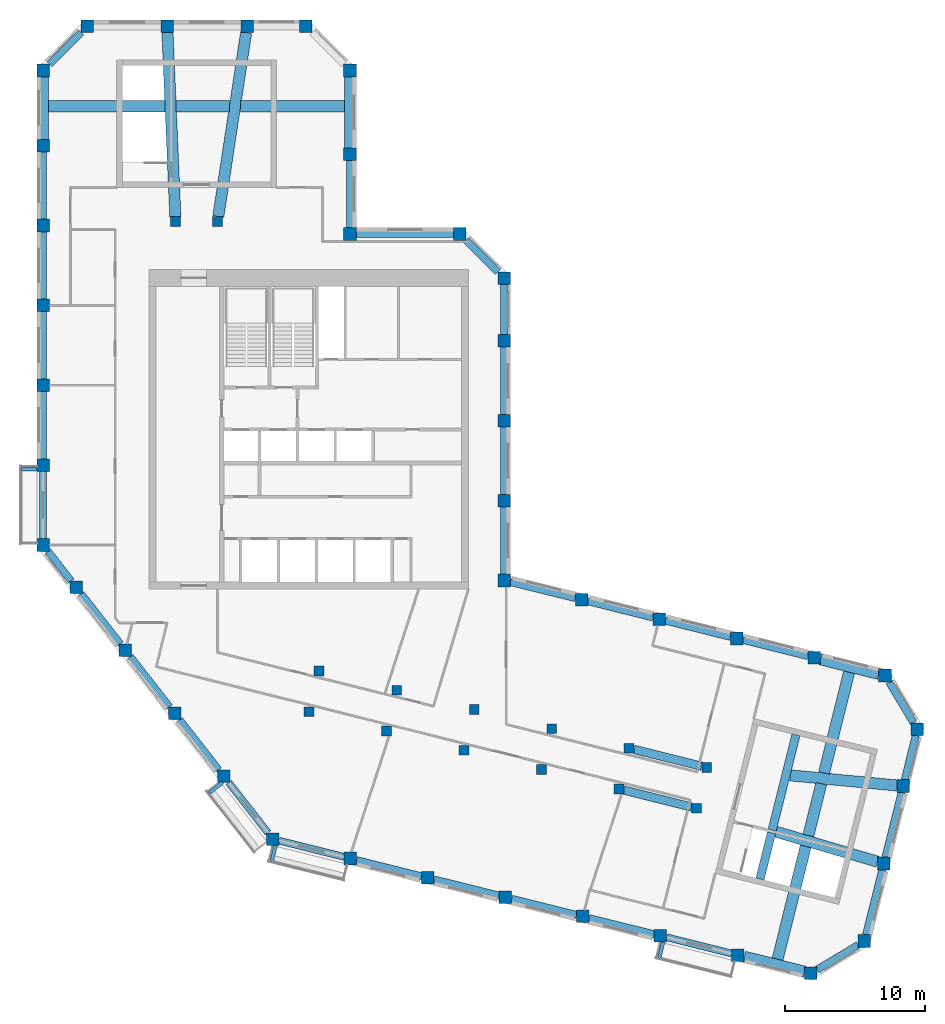
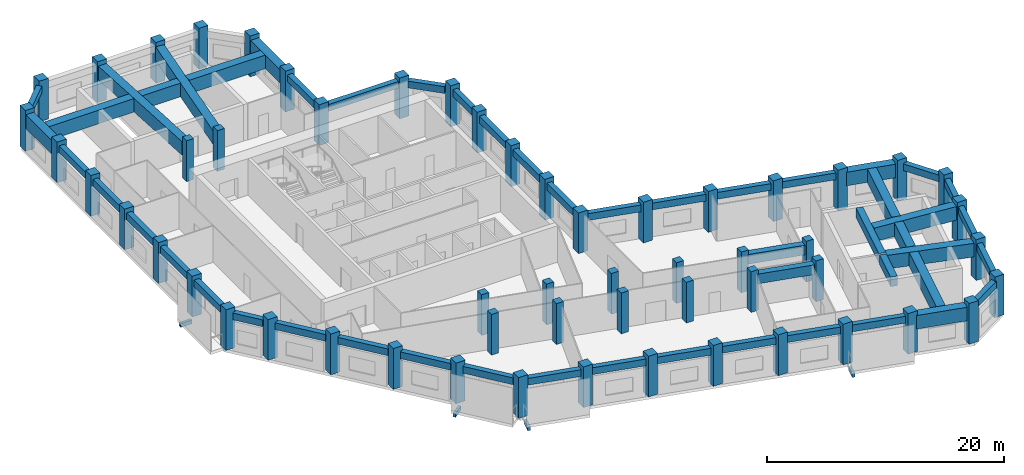
# One storey, part 1 of 8: 55 beams, 55 columns.
"""IFC4 building model written with IfcOpenShell, lengths in metres."""

import ifcopenshell
import ifcopenshell.guid

model = None  # the IFC model being written
_history = None  # IfcOwnerHistory: only IFC2X3 demands one
_inside = {}  # id of a spatial element -> (the spatial element, [elements in it])
_under = {}  # id of a project, library or spatial element -> (it, [spatial elements below it])
_declared = {}  # id of a project -> (the project, [libraries it declares])
_typed = {}  # id of a type object -> (the type object, [elements of that type])
_made_of = {}  # id of a material, layer set ... -> (it, [elements and type objects made of it])


def new_model(schema):
    """Start an empty IFC model of exactly this schema.

    Asked for "IFC4X3", IfcOpenShell would pick the latest addendum, in which some entities
    have other attributes; the version numbers below select the first issue.
    IFC2X3 requires an IfcOwnerHistory on every rooted entity: one is made here for all.
    """
    global model, _history
    if schema == "IFC4X3":
        model = ifcopenshell.file(schema_version=(4, 3, 0, 0))
    else:
        model = ifcopenshell.file(schema=schema)
    _inside.clear()
    _under.clear()
    _declared.clear()
    _typed.clear()
    _made_of.clear()
    _history = None
    if model.schema == "IFC2X3":
        org = make("IfcOrganization", Name="unknown")
        user = make(
            "IfcPersonAndOrganization",
            ThePerson=make("IfcPerson", FamilyName="unknown"),
            TheOrganization=org,
        )
        app = make(
            "IfcApplication",
            ApplicationDeveloper=org,
            Version="unknown",
            ApplicationFullName="unknown",
            ApplicationIdentifier="unknown",
        )
        _history = make(
            "IfcOwnerHistory",
            OwningUser=user,
            OwningApplication=app,
            ChangeAction="ADDED",
            CreationDate=0,
        )
    return model


def make(cls, **values):
    """One entity of the class cls with the attributes given. An attribute that is None is left unset."""
    return model.create_entity(
        cls, **{name: value for name, value in values.items() if value is not None}
    )


def rooted(cls, **values):
    """An entity with a GlobalId (a new one), such as an element, a storey or a relation."""
    return make(cls, GlobalId=ifcopenshell.guid.new(), OwnerHistory=_history, **values)


def si_unit(unit_type, name, prefix=None):
    """IfcSIUnit, for example si_unit("LENGTHUNIT", "METRE", prefix="MILLI")."""
    return make("IfcSIUnit", UnitType=unit_type, Prefix=prefix, Name=name)


def assignment(units):
    """IfcUnitAssignment: the units of a project."""
    return None if units is None else make("IfcUnitAssignment", Units=units)


def point(xyz):
    """IfcCartesianPoint."""
    return None if xyz is None else make("IfcCartesianPoint", Coordinates=xyz)


def direction(xyz):
    """IfcDirection."""
    return None if xyz is None else make("IfcDirection", DirectionRatios=xyz)


def frame(location, z_axis=None, x_axis=None):
    """IfcAxis2Placement3D, a coordinate frame: its origin and axes. An axis left out is left unset."""
    return make(
        "IfcAxis2Placement3D",
        Location=point(location),
        Axis=direction(z_axis),
        RefDirection=direction(x_axis),
    )


def frame_2d(location, x_axis=None):
    """IfcAxis2Placement2D, a coordinate frame in the plane: its origin and x axis."""
    return make(
        "IfcAxis2Placement2D", Location=point(location), RefDirection=direction(x_axis)
    )


def origin():
    """The frame at (0, 0, 0) with its axes left unset."""
    return frame((0.0, 0.0, 0.0))


def origin_2d():
    """The frame at (0, 0) in the plane with its x axis left unset."""
    return frame_2d((0.0, 0.0))


def place(relative_to, where):
    """IfcLocalPlacement: puts the frame where relative to a parent placement (None: the world)."""
    return make(
        "IfcLocalPlacement", PlacementRelTo=relative_to, RelativePlacement=where
    )


def context(
    kind, dimensions, precision=None, world=None, true_north=None, identifier=None
):
    """IfcGeometricRepresentationContext, for example the 3D "Model" context."""
    return make(
        "IfcGeometricRepresentationContext",
        ContextIdentifier=identifier,
        ContextType=kind,
        CoordinateSpaceDimension=dimensions,
        Precision=precision,
        WorldCoordinateSystem=world,
        TrueNorth=true_north,
    )


def subcontext(parent, identifier, kind, view, scale=None):
    """IfcGeometricRepresentationSubContext, for example "Body" below "Model"."""
    return make(
        "IfcGeometricRepresentationSubContext",
        ContextIdentifier=identifier,
        ContextType=kind,
        ParentContext=parent,
        TargetScale=scale,
        TargetView=view,
    )


def project(units=None, contexts=None):
    """IfcProject with its units and contexts."""
    return rooted(
        "IfcProject",
        Name="project",
        RepresentationContexts=contexts,
        UnitsInContext=assignment(units),
    )


def spatial(cls, under=None, at=None, **own):
    """A site, building, storey or space (cls), placed at a placement, below another one or the project."""
    s = rooted(cls, ObjectPlacement=at, **own)
    if under is not None:
        _under.setdefault(under.id(), (under, []))[1].append(s)
    return s


def profile(cls, at=None, kind="AREA", **sizes):
    """A parametric profile (cls). Its sizes go by their IFC names, for example OverallWidth=200.0."""
    return make(cls, ProfileType=kind, Position=at, **sizes)


def rectangle(**sizes):
    """IfcRectangleProfileDef."""
    return profile("IfcRectangleProfileDef", **sizes)


def extrude(swept, where, along, depth):
    """IfcExtrudedAreaSolid: the profile swept, set in the frame where, extruded along a direction by depth."""
    return make(
        "IfcExtrudedAreaSolid",
        SweptArea=swept,
        Position=where,
        ExtrudedDirection=direction(along),
        Depth=depth,
    )


def shape(context_of_items, identifier, shape_type, items):
    """IfcShapeRepresentation: the items that make up one representation, for example the "Body"."""
    return make(
        "IfcShapeRepresentation",
        ContextOfItems=context_of_items,
        RepresentationIdentifier=identifier,
        RepresentationType=shape_type,
        Items=items,
    )


def material(Name=None, Category=None):
    """IfcMaterial."""
    return make("IfcMaterial", Name=Name, Category=Category)


def material_profile(
    of_material, cross_section, Name=None, Category=None, Priority=None
):
    """IfcMaterialProfile: a cross section and its material."""
    return make(
        "IfcMaterialProfile",
        Name=Name,
        Material=of_material,
        Profile=cross_section,
        Priority=Priority,
        Category=Category,
    )


def profile_set(profiles, Name=None, composite=None):
    """IfcMaterialProfileSet."""
    return make(
        "IfcMaterialProfileSet",
        Name=Name,
        MaterialProfiles=profiles,
        CompositeProfile=composite,
    )


def made_of(thing, what):
    """Note that an element or type object is made of a material, layer set ...; save() writes the relation."""
    if what is not None:
        _made_of.setdefault(what.id(), (what, []))[1].append(thing)
    return thing


def type_object(cls, material=None, **own):
    """A type object (cls), such as IfcWallType, which elements share."""
    return made_of(rooted(cls, **own), material)


def element(
    cls,
    number,
    at=None,
    inside=None,
    cuts=None,
    type_object=None,
    material=None,
    context=None,
    identifier="Body",
    shape_type=None,
    held_by="IfcProductDefinitionShape",
    body=None,
    shapes=None,
    **own,
):
    """One element of the class cls, such as IfcWall. Its Tag is "e" and its number.

    at: its placement. inside: the storey or other place that contains it. cuts: it is an
    opening in that element (IfcRelVoidsElement). A single representation is given by context,
    identifier, shape_type and body (its items); several are given by shapes. held_by: the class
    of the entity that holds the representations. save() writes the other relations.
    """
    e = rooted(cls, Tag="e%d" % number, ObjectPlacement=at, **own)
    if body is not None:
        shapes = [shape(context, identifier, shape_type, body)]
    if shapes is not None:
        e.Representation = make(held_by, Representations=shapes)
    if inside is not None:
        _inside.setdefault(inside.id(), (inside, []))[1].append(e)
    if cuts is not None:
        rooted(
            "IfcRelVoidsElement", RelatingBuildingElement=cuts, RelatedOpeningElement=e
        )
    if type_object is not None:
        _typed.setdefault(type_object.id(), (type_object, []))[1].append(e)
    return made_of(e, material)


def aggregate(whole, parts):
    """IfcRelAggregates: a whole, such as a stair, and the parts it consists of."""
    return rooted("IfcRelAggregates", RelatingObject=whole, RelatedObjects=parts)


def save(model, path):
    """Write the relations noted so far, then the file.

    IfcRelAggregates (storeys below a building ...), IfcRelContainedInSpatialStructure (elements
    in a storey), IfcRelDefinesByType, IfcRelAssociatesMaterial and IfcRelDeclares: one each for
    every whole, place, type object, material and project.
    """
    for whole, parts in _under.values():
        aggregate(whole, parts)
    for where, things in _inside.values():
        rooted(
            "IfcRelContainedInSpatialStructure",
            RelatedElements=things,
            RelatingStructure=where,
        )
    for kind, things in _typed.values():
        rooted("IfcRelDefinesByType", RelatedObjects=things, RelatingType=kind)
    for what, things in _made_of.values():
        rooted("IfcRelAssociatesMaterial", RelatedObjects=things, RelatingMaterial=what)
    for by, libraries in _declared.values():
        rooted("IfcRelDeclares", RelatingContext=by, RelatedDefinitions=libraries)
    model.write(path)


model = new_model("IFC4")

# Units and contexts
model_context = context("Model", 3, precision=1e-05, world=origin(), true_north=direction((0.0, 1.0)))
body_context = subcontext(model_context, "Body", "Model", "MODEL_VIEW")
ifc_project = project(units=[si_unit("LENGTHUNIT", "METRE"), si_unit("AREAUNIT", "SQUARE_METRE"), si_unit("VOLUMEUNIT", "CUBIC_METRE"), si_unit("PLANEANGLEUNIT", "RADIAN"), si_unit("MASSUNIT", "GRAM", prefix="KILO")], contexts=[model_context])

# Site, building, storey
site_placement = place(None, origin())
site = spatial("IfcSite", under=ifc_project, at=site_placement, CompositionType="ELEMENT")
building_placement = place(site_placement, origin())
building = spatial("IfcBuilding", under=site, at=building_placement, Name="Meshkara Civic Tower", CompositionType="ELEMENT")
storey_placement = place(building_placement, frame((0.0, 0.0, 396.0)))
storey = spatial("IfcBuildingStorey", under=building, at=storey_placement, Name="L91", CompositionType="ELEMENT", Elevation=396.0)

# Columns
ifc_material_1 = material(Name="Concrete C50", Category="concrete")
ifc_material_profile_1 = material_profile(ifc_material_1, rectangle(XDim=0.699951171875, YDim=0.699951171875, at=origin_2d()))
ifc_profile_set_1 = profile_set([ifc_material_profile_1], Name="Concrete C50")
column_type_1 = type_object("IfcColumnType", Name="Interior column RC 700x700 C50", PredefinedType="COLUMN", material=ifc_profile_set_1)
for number, where, z_axis, x_axis, name in (
    (1, (9.89990234375, 40.35009765625, 0.0), (0.0, 0.0, 1.0), (1.0, 0.0, 0.0), "Column SA1-04 L91"),
    (2, (12.89990234375, 40.35009765625, 0.0), (0.0, 0.0, 1.0), (1.0, 0.0, 0.0), "Column SA2-04 L91"),
    (3, (19.424072265625, 5.360107421875, 0.0), (0.0, 0.0, 1.0), (1.0, 0.0, 0.0), "Column SB1-00 L91"),
    (4, (24.9541015625, 3.98095703125, 0.0), (0.0, 0.0, 1.0), (1.0, 0.0, 0.0), "Column SB1-01 L91"),
    (5, (30.485107421875, 2.60205078125, 0.0), (0.0, 0.0, 1.0), (1.0, 0.0, 0.0), "Column SB1-02 L91"),
    (6, (36.01611328125, 1.222900390625, 0.0), (0.0, 0.0, 1.0), (1.0, 0.0, 0.0), "Column SB1-03 L91"),
    (7, (41.5458984375, -0.156005859375, 0.0), (0.0, 0.0, 1.0), (1.0, 0.0, 0.0), "Column SB1-04 L91"),
    (8, (47.076904296875, -1.534912109375, 0.0), (0.0, 0.0, 1.0), (1.0, 0.0, 0.0), "Column SB1-05 L91"),
    (9, (20.14892578125, 8.27099609375, 0.0), (0.0, 0.0, 1.0), (1.0, 0.0, 0.0), "Column SB2-00 L91"),
    (10, (25.679931640625, 6.89208984375, 0.0), (0.0, 0.0, 1.0), (1.0, 0.0, 0.0), "Column SB2-01 L91"),
    (11, (31.2109375, 5.512939453125, 0.0), (0.0, 0.0, 1.0), (1.0, 0.0, 0.0), "Column SB2-02 L91"),
    (12, (36.741943359375, 4.134033203125, 0.0), (0.0, 0.0, 1.0), (1.0, 0.0, 0.0), "Column SB2-03 L91"),
    (13, (42.27197265625, 2.7548828125, 0.0), (0.0, 0.0, 1.0), (1.0, 0.0, 0.0), "Column SB2-04 L91"),
    (14, (47.802978515625, 1.3759765625, 0.0), (0.0, 0.0, 1.0), (1.0, 0.0, 0.0), "Column SB2-05 L91"),
):
    element("IfcColumn", number, at=place(storey_placement, frame(where, z_axis=z_axis, x_axis=x_axis)), inside=storey, type_object=column_type_1, Name=name, PredefinedType="COLUMN", context=body_context, shape_type="SweptSolid", body=[
        extrude(rectangle(XDim=0.699951171875, YDim=0.699951171875, at=origin_2d()), origin(), (0.0, 0.0, 1.0), 4.199951171875),
    ])
ifc_material_2 = material(Name="Concrete C50", Category="concrete")
ifc_material_profile_2 = material_profile(ifc_material_2, rectangle(XDim=0.89990234375, YDim=0.89990234375, at=origin_2d()))
ifc_profile_set_2 = profile_set([ifc_material_profile_2], Name="Concrete C50")
column_type_2 = type_object("IfcColumnType", Name="Perimeter column RC 900x900 C50", PredefinedType="COLUMN", material=ifc_profile_set_2)
for number, where, z_axis, x_axis, name in (
    (15, (33.35009765625, 14.718994140625, 0.0), (0.0, 0.0, 1.0), (1.0, 0.0, 0.0), "Column HE00 L91"),
    (16, (33.35009765625, 20.4189453125, 0.0), (0.0, 0.0, 1.0), (1.0, 0.0, 0.0), "Column HE01 L91"),
    (17, (33.35009765625, 26.118896484375, 0.0), (0.0, 0.0, 1.0), (1.0, 0.0, 0.0), "Column HE02 L91"),
    (18, (33.35009765625, 31.819091796875, 0.0), (0.0, 0.0, 1.0), (1.0, 0.0, 0.0), "Column HE03 L91"),
    (19, (33.35009765625, 36.2939453125, 0.0), (0.0, 0.0, 1.0), (1.0, 0.0, 0.0), "Column HEE L91"),
    (20, (30.194091796875, 39.449951171875, 0.0), (0.0, 0.0, 1.0), (1.0, 0.0, 0.0), "Column HCeE L91"),
    (21, (22.35009765625, 39.449951171875, 0.0), (0.0, 0.0, 1.0), (1.0, 0.0, 0.0), "Column HN00 L91"),
    (22, (22.35009765625, 45.14990234375, 0.0), (0.0, 0.0, 1.0), (1.0, 0.0, 0.0), "Column AE01 L91"),
    (23, (22.35009765625, 51.114013671875, 0.0), (0.0, 0.0, 1.0), (1.0, 0.0, 0.0), "Column AEEP5 L91"),
    (24, (19.194091796875, 54.27001953125, 0.0), (0.0, 0.0, 1.0), (1.0, 0.0, 0.0), "Column ATiEP5 L91"),
    (25, (3.60595703125, 54.27001953125, 0.0), (0.0, 0.0, 1.0), (1.0, 0.0, 0.0), "Column AT00-P5 L91"),
    (26, (9.305908203125, 54.27001953125, 0.0), (0.0, 0.0, 1.0), (1.0, 0.0, 0.0), "Column AT01-P5 L91"),
    (27, (15.006103515625, 54.27001953125, 0.0), (0.0, 0.0, 1.0), (1.0, 0.0, 0.0), "Column AT02-P5 L91"),
    (28, (0.449951171875, 51.114013671875, 0.0), (0.0, 0.0, 1.0), (1.0, 0.0, 0.0), "Column ATo00-P5 L91"),
    (29, (0.449951171875, 17.2548828125, 0.0), (0.0, 0.0, 1.0), (1.0, 0.0, 0.0), "Column AW00 L91"),
    (30, (0.449951171875, 22.955078125, 0.0), (0.0, 0.0, 1.0), (1.0, 0.0, 0.0), "Column AW01 L91"),
    (31, (0.449951171875, 28.655029296875, 0.0), (0.0, 0.0, 1.0), (1.0, 0.0, 0.0), "Column AW02 L91"),
    (32, (0.449951171875, 34.35498046875, 0.0), (0.0, 0.0, 1.0), (1.0, 0.0, 0.0), "Column AW03 L91"),
    (33, (0.449951171875, 40.054931640625, 0.0), (0.0, 0.0, 1.0), (1.0, 0.0, 0.0), "Column AW04 L91"),
    (34, (0.449951171875, 45.7548828125, 0.0), (0.0, 0.0, 1.0), (1.0, 0.0, 0.0), "Column AW05 L91"),
    (35, (16.85107421875, -3.738037109375, 0.0), (0.0, 0.0, 1.0), (1.0, 0.0, 0.0), "Column BOW00 L91"),
    (36, (13.342041015625, 0.75390625, 0.0), (0.0, 0.0, 1.0), (1.0, 0.0, 0.0), "Column BOW01 L91"),
    (37, (9.8330078125, 5.2451171875, 0.0), (0.0, 0.0, 1.0), (1.0, 0.0, 0.0), "Column BOW02 L91"),
    (38, (6.322998046875, 9.737060546875, 0.0), (0.0, 0.0, 1.0), (1.0, 0.0, 0.0), "Column BOW03 L91"),
    (39, (2.81396484375, 14.22900390625, 0.0), (0.0, 0.0, 1.0), (1.0, 0.0, 0.0), "Column BOW04 L91"),
    (40, (22.382080078125, -5.116943359375, 0.0), (0.0, 0.0, 1.0), (1.0, 0.0, 0.0), "Column BS01 L91"),
    (41, (27.912109375, -6.49609375, 0.0), (0.0, 0.0, 1.0), (1.0, 0.0, 0.0), "Column BS02 L91"),
    (42, (33.443115234375, -7.875, 0.0), (0.0, 0.0, 1.0), (1.0, 0.0, 0.0), "Column BS03 L91"),
    (43, (38.97412109375, -9.25390625, 0.0), (0.0, 0.0, 1.0), (1.0, 0.0, 0.0), "Column BS04 L91"),
    (44, (44.50390625, -10.633056640625, 0.0), (0.0, 0.0, 1.0), (1.0, 0.0, 0.0), "Column BS05-P4 L91"),
    (45, (50.034912109375, -12.011962890625, 0.0), (0.0, 0.0, 1.0), (1.0, 0.0, 0.0), "Column BS06-P4 L91"),
    (46, (55.235107421875, -13.30810546875, 0.0), (0.0, 0.0, 1.0), (1.0, 0.0, 0.0), "Column BSEP5 L91"),
    (47, (59.06103515625, -11.009033203125, 0.0), (0.0, 0.0, 1.0), (1.0, 0.0, 0.0), "Column BToEP5 L91"),
    (48, (60.43994140625, -5.47802734375, 0.0), (0.0, 0.0, 1.0), (1.0, 0.0, 0.0), "Column BT01-P5 L91"),
    (49, (61.819091796875, 0.052001953125, 0.0), (0.0, 0.0, 1.0), (1.0, 0.0, 0.0), "Column BT02-P5 L91"),
    (50, (62.83203125, 4.114990234375, 0.0), (0.0, 0.0, 1.0), (1.0, 0.0, 0.0), "Column BTEP5 L91"),
    (51, (60.532958984375, 7.94091796875, 0.0), (0.0, 0.0, 1.0), (1.0, 0.0, 0.0), "Column BTi00-P5 L91"),
    (52, (38.881103515625, 13.340087890625, 0.0), (0.0, 0.0, 1.0), (1.0, 0.0, 0.0), "Column BN01 L91"),
    (53, (44.410888671875, 11.9609375, 0.0), (0.0, 0.0, 1.0), (1.0, 0.0, 0.0), "Column BN02 L91"),
    (54, (49.94189453125, 10.58203125, 0.0), (0.0, 0.0, 1.0), (1.0, 0.0, 0.0), "Column BN03 L91"),
    (55, (55.472900390625, 9.202880859375, 0.0), (0.0, 0.0, 1.0), (1.0, 0.0, 0.0), "Column BN04 L91"),
):
    element("IfcColumn", number, at=place(storey_placement, frame(where, z_axis=z_axis, x_axis=x_axis)), inside=storey, type_object=column_type_2, Name=name, PredefinedType="COLUMN", context=body_context, shape_type="SweptSolid", body=[
        extrude(rectangle(XDim=0.89990234375, YDim=0.89990234375, at=origin_2d()), origin(), (0.0, 0.0, 1.0), 4.199951171875),
    ])

# Beams
ifc_material_3 = material(Name="Concrete C50", Category="concrete")
ifc_material_profile_3 = material_profile(ifc_material_3, rectangle(XDim=0.25, YDim=0.39990234375, at=origin_2d()))
ifc_profile_set_3 = profile_set([ifc_material_profile_3], Name="Concrete C50")
beam_type_1 = type_object("IfcBeamType", Name="Balcony bracket beam RC 250x400 C50", PredefinedType="BEAM", material=ifc_profile_set_3)
beam_1_placement = place(storey_placement, frame((0.0048828125, 22.655029296875, -0.5), z_axis=(-1.0, 0.0, 0.0), x_axis=(0.0, -1.0, 0.0)))
element("IfcBeam", 56, at=beam_1_placement, inside=storey, type_object=beam_type_1, Name="Balcony bracket beam", PredefinedType="BEAM", context=body_context, shape_type="SweptSolid", body=[
    extrude(rectangle(XDim=0.25, YDim=0.39990234375, at=origin_2d()), origin(), (0.0, 0.0, 1.0), 1.10498046875),
])
beam_2_placement = place(storey_placement, frame((13.257080078125, 0.306884765625, -0.5), z_axis=(-0.788012120422, -0.615659725878, 0.0), x_axis=(0.615659725878, -0.788012120422, 0.0)))
element("IfcBeam", 57, at=beam_2_placement, inside=storey, type_object=beam_type_1, Name="Balcony bracket beam", PredefinedType="BEAM", context=body_context, shape_type="SweptSolid", body=[
    extrude(rectangle(XDim=0.25, YDim=0.39990234375, at=origin_2d()), origin(), (0.0, 0.0, 1.0), 1.208251953125),
])
beam_3_placement = place(storey_placement, frame((17.049072265625, -4.18310546875, -0.5), z_axis=(-0.241944119929, -0.970290184858, 0.0), x_axis=(0.970290184858, -0.241944119929, 0.0)))
element("IfcBeam", 58, at=beam_3_placement, inside=storey, type_object=beam_type_1, Name="Balcony bracket beam", PredefinedType="BEAM", context=body_context, shape_type="SweptSolid", body=[
    extrude(rectangle(XDim=0.25, YDim=0.39990234375, at=origin_2d()), origin(), (0.0, 0.0, 1.0), 1.16552734375),
])
beam_4_placement = place(storey_placement, frame((44.701904296875, -11.077880859375, -0.5), z_axis=(-0.241894953997, -0.970302443175, 0.0), x_axis=(0.970302443175, -0.241894953997, 0.0)))
element("IfcBeam", 59, at=beam_4_placement, inside=storey, type_object=beam_type_1, Name="Balcony bracket beam", PredefinedType="BEAM", context=body_context, shape_type="SweptSolid", body=[
    extrude(rectangle(XDim=0.25, YDim=0.39990234375, at=origin_2d()), origin(), (0.0, 0.0, 1.0), 1.165771484375),
])
ifc_material_4 = material(Name="Concrete C50", Category="concrete")
ifc_material_profile_4 = material_profile(ifc_material_4, rectangle(XDim=0.60009765625, YDim=1.0, at=origin_2d()))
ifc_profile_set_4 = profile_set([ifc_material_profile_4], Name="Concrete C50")
beam_type_2 = type_object("IfcBeamType", Name="Core transfer beam RC 600x1000 C50", PredefinedType="BEAM", material=ifc_profile_set_4)
beam_5_placement = place(storey_placement, frame((41.885986328125, -0.240966796875, 3.25), z_axis=(0.97032033699, -0.241823166018, 0.0), x_axis=(0.241823166018, 0.97032033699, 0.0)))
element("IfcBeam", 60, at=beam_5_placement, inside=storey, type_object=beam_type_2, Name="Transfer beam B L92 Crown core-side wall", PredefinedType="BEAM", context=body_context, shape_type="SweptSolid", body=[
    extrude(rectangle(XDim=0.60009765625, YDim=1.0, at=origin_2d()), origin(), (0.0, 0.0, 1.0), 4.99951171875),
])
beam_6_placement = place(storey_placement, frame((42.612060546875, 2.669921875, 3.25), z_axis=(0.970317481084, -0.241834625111, 0.0), x_axis=(0.241834625111, 0.970317481084, 0.0)))
element("IfcBeam", 61, at=beam_6_placement, inside=storey, type_object=beam_type_2, Name="Transfer beam B L92 Crown core-side wall", PredefinedType="BEAM", context=body_context, shape_type="SweptSolid", body=[
    extrude(rectangle(XDim=0.60009765625, YDim=1.0, at=origin_2d()), origin(), (0.0, 0.0, 1.0), 4.999267578125),
])
beam_7_placement = place(storey_placement, frame((51.611083984375, -6.5810546875, 3.25), z_axis=(0.24177523778, 0.970332280405, 0.0), x_axis=(-0.970332280405, 0.24177523778, 0.0)))
element("IfcBeam", 62, at=beam_7_placement, inside=storey, type_object=beam_type_2, Name="Transfer beam B L92 Crown tip-side wall", PredefinedType="BEAM", context=body_context, shape_type="SweptSolid", body=[
    extrude(rectangle(XDim=0.60009765625, YDim=1.0, at=origin_2d()), origin(), (0.0, 0.0, 1.0), 3.39990234375),
])
beam_8_placement = place(storey_placement, frame((52.48193359375, -3.087890625, 3.25), z_axis=(0.241879042136, 0.970306409839, 0.0), x_axis=(-0.970306409839, 0.241879042136, 0.0)))
element("IfcBeam", 63, at=beam_8_placement, inside=storey, type_object=beam_type_2, Name="Transfer beam B L92 Crown tip-side wall", PredefinedType="BEAM", context=body_context, shape_type="SweptSolid", body=[
    extrude(rectangle(XDim=0.60009765625, YDim=1.0, at=origin_2d()), origin(), (0.0, 0.0, 1.0), 6.999755859375),
])
ifc_material_5 = material(Name="Concrete C50", Category="concrete")
ifc_material_profile_5 = material_profile(ifc_material_5, rectangle(XDim=0.5, YDim=0.699951171875, at=origin_2d()))
ifc_profile_set_5 = profile_set([ifc_material_profile_5], Name="Concrete C50")
beam_type_3 = type_object("IfcBeamType", Name="Spandrel beam RC 500x700 C50", PredefinedType="BEAM", material=ifc_profile_set_5)
for number, where, z_axis, x_axis, name in (
    (64, (55.02783203125, 9.31396484375, 3.39990234375), (-0.970298442389, 0.241911001604, 0.0), (-0.241911001604, -0.970298442389, 0.0), "Spandrel beam BN03-BN04"),
    (65, (49.496826171875, 10.693115234375, 3.39990234375), (-0.970298442389, 0.241911001604, 0.0), (-0.241911001604, -0.970298442389, 0.0), "Spandrel beam BN02-BN03"),
):
    element("IfcBeam", number, at=place(storey_placement, frame(where, z_axis=z_axis, x_axis=x_axis)), inside=storey, type_object=beam_type_3, Name=name, PredefinedType="BEAM", context=body_context, shape_type="SweptSolid", body=[
        extrude(rectangle(XDim=0.5, YDim=0.699951171875, at=origin_2d()), origin(), (0.0, 0.0, 1.0), 4.78271484375),
    ])
beam_9_placement = place(storey_placement, frame((43.9658203125, 12.072021484375, 3.39990234375), z_axis=(-0.970286489601, 0.241958938867, 0.0), x_axis=(-0.241958938867, -0.970286489601, 0.0)))
element("IfcBeam", 66, at=beam_9_placement, inside=storey, type_object=beam_type_3, Name="Spandrel beam BN01-BN02", PredefinedType="BEAM", context=body_context, shape_type="SweptSolid", body=[
    extrude(rectangle(XDim=0.5, YDim=0.699951171875, at=origin_2d()), origin(), (0.0, 0.0, 1.0), 4.78173828125),
])
beam_10_placement = place(storey_placement, frame((38.435791015625, 13.450927734375, 3.39990234375), z_axis=(-0.970298442389, 0.241911001604, 0.0), x_axis=(-0.241911001604, -0.970298442389, 0.0)))
element("IfcBeam", 67, at=beam_10_placement, inside=storey, type_object=beam_type_3, Name="Spandrel beam BN01-HE00", PredefinedType="BEAM", context=body_context, shape_type="SweptSolid", body=[
    extrude(rectangle(XDim=0.5, YDim=0.699951171875, at=origin_2d()), origin(), (0.0, 0.0, 1.0), 4.78271484375),
])
for number, where, z_axis, x_axis, name in (
    (68, (33.35009765625, 15.1640625, 3.39990234375), (0.0, 1.0, 0.0), (-1.0, 0.0, 0.0), "Spandrel beam HE00-HE01"),
    (69, (33.35009765625, 20.864013671875, 3.39990234375), (0.0, 1.0, 0.0), (-1.0, 0.0, 0.0), "Spandrel beam HE01-HE02"),
    (70, (33.35009765625, 26.56396484375, 3.39990234375), (0.0, 1.0, 0.0), (-1.0, 0.0, 0.0), "Spandrel beam HE02-HE03"),
):
    element("IfcBeam", number, at=place(storey_placement, frame(where, z_axis=z_axis, x_axis=x_axis)), inside=storey, type_object=beam_type_3, Name=name, PredefinedType="BEAM", context=body_context, shape_type="SweptSolid", body=[
        extrude(rectangle(XDim=0.5, YDim=0.699951171875, at=origin_2d()), origin(), (0.0, 0.0, 1.0), 4.81005859375),
    ])
beam_11_placement = place(storey_placement, frame((33.35009765625, 32.263916015625, 3.39990234375), z_axis=(0.0, 1.0, 0.0), x_axis=(-1.0, 0.0, 0.0)))
element("IfcBeam", 71, at=beam_11_placement, inside=storey, type_object=beam_type_3, Name="Spandrel beam HE03-HEE", PredefinedType="BEAM", context=body_context, shape_type="SweptSolid", body=[
    extrude(rectangle(XDim=0.5, YDim=0.699951171875, at=origin_2d()), origin(), (0.0, 0.0, 1.0), 3.585205078125),
])
beam_12_placement = place(storey_placement, frame((32.903564453125, 36.740478515625, 3.39990234375), z_axis=(-0.707144921739, 0.707068638576, 0.0), x_axis=(-0.707068638576, -0.707144921739, 0.0)))
element("IfcBeam", 72, at=beam_12_placement, inside=storey, type_object=beam_type_3, Name="Spandrel beam HCeE-HEE", PredefinedType="BEAM", context=body_context, shape_type="SweptSolid", body=[
    extrude(rectangle(XDim=0.5, YDim=0.699951171875, at=origin_2d()), origin(), (0.0, 0.0, 1.0), 3.200439453125),
])
beam_13_placement = place(storey_placement, frame((29.7490234375, 39.449951171875, 3.39990234375), z_axis=(-1.0, 0.0, 0.0), x_axis=(0.0, -1.0, 0.0)))
element("IfcBeam", 73, at=beam_13_placement, inside=storey, type_object=beam_type_3, Name="Spandrel beam HCeE-HN00", PredefinedType="BEAM", context=body_context, shape_type="SweptSolid", body=[
    extrude(rectangle(XDim=0.5, YDim=0.699951171875, at=origin_2d()), origin(), (0.0, 0.0, 1.0), 6.9541015625),
])
beam_14_placement = place(storey_placement, frame((22.35009765625, 39.89501953125, 3.39990234375), z_axis=(0.0, 1.0, 0.0), x_axis=(-1.0, 0.0, 0.0)))
element("IfcBeam", 74, at=beam_14_placement, inside=storey, type_object=beam_type_3, Name="Spandrel beam AE01-HN00", PredefinedType="BEAM", context=body_context, shape_type="SweptSolid", body=[
    extrude(rectangle(XDim=0.5, YDim=0.699951171875, at=origin_2d()), origin(), (0.0, 0.0, 1.0), 4.81005859375),
])
beam_15_placement = place(storey_placement, frame((3.159423828125, 53.823486328125, 3.39990234375), z_axis=(-0.707106781187, -0.707106781187, 0.0), x_axis=(0.707106781187, -0.707106781187, 0.0)))
element("IfcBeam", 75, at=beam_15_placement, inside=storey, type_object=beam_type_3, Name="Spandrel beam AT00-P5-ATo00-P5", PredefinedType="BEAM", context=body_context, shape_type="SweptSolid", body=[
    extrude(rectangle(XDim=0.5, YDim=0.699951171875, at=origin_2d()), origin(), (0.0, 0.0, 1.0), 3.2001953125),
])
for number, where, z_axis, x_axis, name in (
    (76, (0.449951171875, 45.31005859375, 3.39990234375), (0.0, -1.0, 0.0), (1.0, 0.0, 0.0), "Spandrel beam AW04-AW05"),
    (77, (0.449951171875, 39.610107421875, 3.39990234375), (0.0, -1.0, 0.0), (1.0, 0.0, 0.0), "Spandrel beam AW03-AW04"),
):
    element("IfcBeam", number, at=place(storey_placement, frame(where, z_axis=z_axis, x_axis=x_axis)), inside=storey, type_object=beam_type_3, Name=name, PredefinedType="BEAM", context=body_context, shape_type="SweptSolid", body=[
        extrude(rectangle(XDim=0.5, YDim=0.699951171875, at=origin_2d()), origin(), (0.0, 0.0, 1.0), 4.81005859375),
    ])
beam_16_placement = place(storey_placement, frame((0.449951171875, 33.909912109375, 3.39990234375), z_axis=(0.0, -1.0, 0.0), x_axis=(1.0, 0.0, 0.0)))
element("IfcBeam", 78, at=beam_16_placement, inside=storey, type_object=beam_type_3, Name="Spandrel beam AW02-AW03", PredefinedType="BEAM", context=body_context, shape_type="SweptSolid", body=[
    extrude(rectangle(XDim=0.5, YDim=0.699951171875, at=origin_2d()), origin(), (0.0, 0.0, 1.0), 4.809814453125),
])
for number, where, z_axis, x_axis, name in (
    (79, (0.449951171875, 28.2099609375, 3.39990234375), (0.0, -1.0, 0.0), (1.0, 0.0, 0.0), "Spandrel beam AW01-AW02"),
    (80, (0.449951171875, 22.510009765625, 3.39990234375), (0.0, -1.0, 0.0), (1.0, 0.0, 0.0), "Spandrel beam AW00-AW01"),
):
    element("IfcBeam", number, at=place(storey_placement, frame(where, z_axis=z_axis, x_axis=x_axis)), inside=storey, type_object=beam_type_3, Name=name, PredefinedType="BEAM", context=body_context, shape_type="SweptSolid", body=[
        extrude(rectangle(XDim=0.5, YDim=0.699951171875, at=origin_2d()), origin(), (0.0, 0.0, 1.0), 4.81005859375),
    ])
beam_17_placement = place(storey_placement, frame((0.798583984375, 16.808837890625, 3.39990234375), z_axis=(0.615637043197, -0.788029841468, 0.0), x_axis=(0.788029841468, 0.615637043197, 0.0)))
element("IfcBeam", 81, at=beam_17_placement, inside=storey, type_object=beam_type_3, Name="Spandrel beam AW00-BOW04", PredefinedType="BEAM", context=body_context, shape_type="SweptSolid", body=[
    extrude(rectangle(XDim=0.5, YDim=0.699951171875, at=origin_2d()), origin(), (0.0, 0.0, 1.0), 2.707763671875),
])
beam_18_placement = place(storey_placement, frame((3.162353515625, 13.782958984375, 3.39990234375), z_axis=(0.615626410665, -0.788038147865, 0.0), x_axis=(0.788038147865, 0.615626410665, 0.0)))
element("IfcBeam", 82, at=beam_18_placement, inside=storey, type_object=beam_type_3, Name="Spandrel beam BOW03-BOW04", PredefinedType="BEAM", context=body_context, shape_type="SweptSolid", body=[
    extrude(rectangle(XDim=0.5, YDim=0.699951171875, at=origin_2d()), origin(), (0.0, 0.0, 1.0), 4.568115234375),
])
beam_19_placement = place(storey_placement, frame((6.67138671875, 9.291015625, 3.39990234375), z_axis=(0.615759141311, -0.787934438829, 0.0), x_axis=(0.787934438829, 0.615759141311, 0.0)))
element("IfcBeam", 83, at=beam_19_placement, inside=storey, type_object=beam_type_3, Name="Spandrel beam BOW02-BOW03", PredefinedType="BEAM", context=body_context, shape_type="SweptSolid", body=[
    extrude(rectangle(XDim=0.5, YDim=0.699951171875, at=origin_2d()), origin(), (0.0, 0.0, 1.0), 4.568603515625),
])
beam_20_placement = place(storey_placement, frame((10.181396484375, 4.798828125, 3.39990234375), z_axis=(0.615722879711, -0.78796277539, 0.0), x_axis=(0.78796277539, 0.615722879711, 0.0)))
element("IfcBeam", 84, at=beam_20_placement, inside=storey, type_object=beam_type_3, Name="Spandrel beam BOW01-BOW02", PredefinedType="BEAM", context=body_context, shape_type="SweptSolid", body=[
    extrude(rectangle(XDim=0.5, YDim=0.699951171875, at=origin_2d()), origin(), (0.0, 0.0, 1.0), 4.56689453125),
])
beam_21_placement = place(storey_placement, frame((13.6904296875, 0.307861328125, 3.39990234375), z_axis=(0.615626410665, -0.788038147865, 0.0), x_axis=(0.788038147865, 0.615626410665, 0.0)))
element("IfcBeam", 85, at=beam_21_placement, inside=storey, type_object=beam_type_3, Name="Spandrel beam BOW00-BOW01", PredefinedType="BEAM", context=body_context, shape_type="SweptSolid", body=[
    extrude(rectangle(XDim=0.5, YDim=0.699951171875, at=origin_2d()), origin(), (0.0, 0.0, 1.0), 4.568115234375),
])
beam_22_placement = place(storey_placement, frame((17.296142578125, -3.84912109375, 3.39990234375), z_axis=(0.970301429476, -0.241899020164, 0.0), x_axis=(0.241899020164, 0.970301429476, 0.0)))
element("IfcBeam", 86, at=beam_22_placement, inside=storey, type_object=beam_type_3, Name="Spandrel beam BOW00-BS01", PredefinedType="BEAM", context=body_context, shape_type="SweptSolid", body=[
    extrude(rectangle(XDim=0.5, YDim=0.699951171875, at=origin_2d()), origin(), (0.0, 0.0, 1.0), 4.782958984375),
])
beam_23_placement = place(storey_placement, frame((22.8271484375, -5.22802734375, 3.39990234375), z_axis=(0.970286489601, -0.241958938867, 0.0), x_axis=(0.241958938867, 0.970286489601, 0.0)))
element("IfcBeam", 87, at=beam_23_placement, inside=storey, type_object=beam_type_3, Name="Spandrel beam BS01-BS02", PredefinedType="BEAM", context=body_context, shape_type="SweptSolid", body=[
    extrude(rectangle(XDim=0.5, YDim=0.699951171875, at=origin_2d()), origin(), (0.0, 0.0, 1.0), 4.78173828125),
])
for number, where, z_axis, x_axis, name in (
    (88, (28.357177734375, -6.60693359375, 3.39990234375), (0.970298442389, -0.241911001604, 0.0), (0.241911001604, 0.970298442389, 0.0), "Spandrel beam BS02-BS03"),
    (89, (33.88818359375, -7.986083984375, 3.39990234375), (0.970298442389, -0.241911001604, 0.0), (0.241911001604, 0.970298442389, 0.0), "Spandrel beam BS03-BS04"),
):
    element("IfcBeam", number, at=place(storey_placement, frame(where, z_axis=z_axis, x_axis=x_axis)), inside=storey, type_object=beam_type_3, Name=name, PredefinedType="BEAM", context=body_context, shape_type="SweptSolid", body=[
        extrude(rectangle(XDim=0.5, YDim=0.699951171875, at=origin_2d()), origin(), (0.0, 0.0, 1.0), 4.78271484375),
    ])
beam_24_placement = place(storey_placement, frame((39.419189453125, -9.364990234375, 3.39990234375), z_axis=(0.970286489601, -0.241958938867, 0.0), x_axis=(0.241958938867, 0.970286489601, 0.0)))
element("IfcBeam", 90, at=beam_24_placement, inside=storey, type_object=beam_type_3, Name="Spandrel beam BS04-BS05-P4", PredefinedType="BEAM", context=body_context, shape_type="SweptSolid", body=[
    extrude(rectangle(XDim=0.5, YDim=0.699951171875, at=origin_2d()), origin(), (0.0, 0.0, 1.0), 4.78173828125),
])
beam_25_placement = place(storey_placement, frame((44.94921875, -10.743896484375, 3.39990234375), z_axis=(0.970298442389, -0.241911001604, 0.0), x_axis=(0.241911001604, 0.970298442389, 0.0)))
element("IfcBeam", 91, at=beam_25_placement, inside=storey, type_object=beam_type_3, Name="Spandrel beam BS05-P4-BS06-P4", PredefinedType="BEAM", context=body_context, shape_type="SweptSolid", body=[
    extrude(rectangle(XDim=0.5, YDim=0.699951171875, at=origin_2d()), origin(), (0.0, 0.0, 1.0), 4.78271484375),
])
beam_26_placement = place(storey_placement, frame((55.6806640625, -13.040283203125, 3.39990234375), z_axis=(0.857146668312, 0.515072411416, 0.0), x_axis=(-0.515072411416, 0.857146668312, 0.0)))
element("IfcBeam", 92, at=beam_26_placement, inside=storey, type_object=beam_type_3, Name="Spandrel beam BSEP5-BToEP5", PredefinedType="BEAM", context=body_context, shape_type="SweptSolid", body=[
    extrude(rectangle(XDim=0.5, YDim=0.699951171875, at=origin_2d()), origin(), (0.0, 0.0, 1.0), 3.423583984375),
])
beam_27_placement = place(storey_placement, frame((59.172119140625, -10.56396484375, 3.39990234375), z_axis=(0.241899020164, 0.970301429476, 0.0), x_axis=(-0.970301429476, 0.241899020164, 0.0)))
element("IfcBeam", 93, at=beam_27_placement, inside=storey, type_object=beam_type_3, Name="Spandrel beam BT01-P5-BToEP5", PredefinedType="BEAM", context=body_context, shape_type="SweptSolid", body=[
    extrude(rectangle(XDim=0.5, YDim=0.699951171875, at=origin_2d()), origin(), (0.0, 0.0, 1.0), 4.782958984375),
])
beam_28_placement = place(storey_placement, frame((60.551025390625, -5.032958984375, 3.39990234375), z_axis=(0.241946952825, 0.970289478464, 0.0), x_axis=(-0.970289478464, 0.241946952825, 0.0)))
element("IfcBeam", 94, at=beam_28_placement, inside=storey, type_object=beam_type_3, Name="Spandrel beam BT01-P5-BT02-P5", PredefinedType="BEAM", context=body_context, shape_type="SweptSolid", body=[
    extrude(rectangle(XDim=0.5, YDim=0.699951171875, at=origin_2d()), origin(), (0.0, 0.0, 1.0), 4.781982421875),
])
beam_29_placement = place(storey_placement, frame((61.929931640625, 0.4970703125, 3.39990234375), z_axis=(0.241903146974, 0.970300400641, 0.0), x_axis=(-0.970300400641, 0.241903146974, 0.0)))
element("IfcBeam", 95, at=beam_29_placement, inside=storey, type_object=beam_type_3, Name="Spandrel beam BT02-P5-BTEP5", PredefinedType="BEAM", context=body_context, shape_type="SweptSolid", body=[
    extrude(rectangle(XDim=0.5, YDim=0.699951171875, at=origin_2d()), origin(), (0.0, 0.0, 1.0), 3.27001953125),
])
beam_30_placement = place(storey_placement, frame((62.564208984375, 4.560791015625, 3.39990234375), z_axis=(-0.515072411416, 0.857146668312, 0.0), x_axis=(-0.857146668312, -0.515072411416, 0.0)))
element("IfcBeam", 96, at=beam_30_placement, inside=storey, type_object=beam_type_3, Name="Spandrel beam BTEP5-BTi00-P5", PredefinedType="BEAM", context=body_context, shape_type="SweptSolid", body=[
    extrude(rectangle(XDim=0.5, YDim=0.699951171875, at=origin_2d()), origin(), (0.0, 0.0, 1.0), 3.423583984375),
])
ifc_material_6 = material(Name="Concrete C70", Category="concrete")
ifc_material_profile_6 = material_profile(ifc_material_6, rectangle(XDim=0.800048828125, YDim=1.39990234375, at=origin_2d()))
ifc_profile_set_6 = profile_set([ifc_material_profile_6], Name="Concrete C70")
beam_type_4 = type_object("IfcBeamType", Name="Transfer girder RC 800x1400 C70", PredefinedType="BEAM", material=ifc_profile_set_6)
beam_31_placement = place(storey_placement, frame((22.35009765625, 45.594970703125, 3.050048828125), z_axis=(0.0, 1.0, 0.0), x_axis=(-1.0, 0.0, 0.0)))
element("IfcBeam", 97, at=beam_31_placement, inside=storey, type_object=beam_type_4, Name="Transfer girder AE01-AEEP5", PredefinedType="BEAM", context=body_context, shape_type="SweptSolid", body=[
    extrude(rectangle(XDim=0.800048828125, YDim=1.39990234375, at=origin_2d()), origin(), (0.0, 0.0, 1.0), 5.073974609375),
])
beam_32_placement = place(storey_placement, frame((0.449951171875, 46.199951171875, 3.050048828125), z_axis=(0.0, 1.0, 0.0), x_axis=(-1.0, 0.0, 0.0)))
element("IfcBeam", 98, at=beam_32_placement, inside=storey, type_object=beam_type_4, Name="Transfer girder ATo00-P5-AW05", PredefinedType="BEAM", context=body_context, shape_type="SweptSolid", body=[
    extrude(rectangle(XDim=0.800048828125, YDim=1.39990234375, at=origin_2d()), origin(), (0.0, 0.0, 1.0), 4.468994140625),
])
beam_33_placement = place(storey_placement, frame((9.88525390625, 40.695068359375, 3.050048828125), z_axis=(-0.042635053656, 0.999090712698, 0.0), x_axis=(-0.999090712698, -0.042635053656, 0.0)))
element("IfcBeam", 99, at=beam_33_placement, inside=storey, type_object=beam_type_4, Name="Transfer girder AT01-P5-SA1-04", PredefinedType="BEAM", context=body_context, shape_type="SweptSolid", body=[
    extrude(rectangle(XDim=0.800048828125, YDim=1.39990234375, at=origin_2d()), origin(), (0.0, 0.0, 1.0), 13.141845703125),
])
beam_34_placement = place(storey_placement, frame((12.9521484375, 40.695068359375, 3.050048828125), z_axis=(0.149598965451, 0.988746757029, 0.0), x_axis=(-0.988746757029, 0.149598965451, 0.0)))
element("IfcBeam", 100, at=beam_34_placement, inside=storey, type_object=beam_type_4, Name="Transfer girder AT02-P5-SA2-04", PredefinedType="BEAM", context=body_context, shape_type="SweptSolid", body=[
    extrude(rectangle(XDim=0.800048828125, YDim=1.39990234375, at=origin_2d()), origin(), (0.0, 0.0, 1.0), 13.279296875),
])
beam_35_placement = place(storey_placement, frame((0.85009765625, 48.570068359375, 3.050048828125), z_axis=(1.0, 0.0, 0.0), x_axis=(0.0, 1.0, 0.0)))
element("IfcBeam", 101, at=beam_35_placement, inside=storey, type_object=beam_type_4, Name="Transfer girder tip A L92 Crown", PredefinedType="BEAM", context=body_context, shape_type="SweptSolid", body=[
    extrude(rectangle(XDim=0.800048828125, YDim=1.39990234375, at=origin_2d()), origin(), (0.0, 0.0, 1.0), 8.299072265625),
])
beam_36_placement = place(storey_placement, frame((9.94921875, 48.570068359375, 3.050048828125), z_axis=(1.0, 0.0, 0.0), x_axis=(0.0, 1.0, 0.0)))
element("IfcBeam", 102, at=beam_36_placement, inside=storey, type_object=beam_type_4, Name="Transfer girder tip A L92 Crown", PredefinedType="BEAM", context=body_context, shape_type="SweptSolid", body=[
    extrude(rectangle(XDim=0.800048828125, YDim=1.39990234375, at=origin_2d()), origin(), (0.0, 0.0, 1.0), 3.79443359375),
])
beam_37_placement = place(storey_placement, frame((14.543701171875, 48.570068359375, 3.050048828125), z_axis=(1.0, 0.0, 0.0), x_axis=(0.0, 1.0, 0.0)))
element("IfcBeam", 103, at=beam_37_placement, inside=storey, type_object=beam_type_4, Name="Transfer girder tip A L92 Crown", PredefinedType="BEAM", context=body_context, shape_type="SweptSolid", body=[
    extrude(rectangle(XDim=0.800048828125, YDim=1.39990234375, at=origin_2d()), origin(), (0.0, 0.0, 1.0), 7.40625),
])
beam_38_placement = place(storey_placement, frame((55.918212890625, 9.092041015625, 3.050048828125), z_axis=(0.970272690872, -0.242014266826, 0.0), x_axis=(0.242014266826, 0.970272690872, 0.0)))
element("IfcBeam", 104, at=beam_38_placement, inside=storey, type_object=beam_type_4, Name="Transfer girder BN04-BTi00-P5", PredefinedType="BEAM", context=body_context, shape_type="SweptSolid", body=[
    extrude(rectangle(XDim=0.800048828125, YDim=1.39990234375, at=origin_2d()), origin(), (0.0, 0.0, 1.0), 4.29736328125),
])
beam_39_placement = place(storey_placement, frame((50.47998046875, -12.122802734375, 3.050048828125), z_axis=(0.97031362237, -0.241850106975, 0.0), x_axis=(0.241850106975, 0.97031362237, 0.0)))
element("IfcBeam", 105, at=beam_39_placement, inside=storey, type_object=beam_type_4, Name="Transfer girder BS06-P4-BSEP5", PredefinedType="BEAM", context=body_context, shape_type="SweptSolid", body=[
    extrude(rectangle(XDim=0.800048828125, YDim=1.39990234375, at=origin_2d()), origin(), (0.0, 0.0, 1.0), 4.441650390625),
])
beam_40_placement = place(storey_placement, frame((52.760009765625, -3.2119140625, 3.050048828125), z_axis=(0.959118787182, -0.283003802225, 0.0), x_axis=(0.283003802225, 0.959118787182, 0.0)))
element("IfcBeam", 106, at=beam_40_placement, inside=storey, type_object=beam_type_4, Name="Transfer girder BT01-P5-SB1-05", PredefinedType="BEAM", context=body_context, shape_type="SweptSolid", body=[
    extrude(rectangle(XDim=0.800048828125, YDim=1.39990234375, at=origin_2d()), origin(), (0.0, 0.0, 1.0), 7.543212890625),
])
beam_41_placement = place(storey_placement, frame((53.763427734375, 0.81298828125, 3.050048828125), z_axis=(0.995567097951, -0.094053992348, 0.0), x_axis=(0.094053992348, 0.995567097951, 0.0)))
element("IfcBeam", 107, at=beam_41_placement, inside=storey, type_object=beam_type_4, Name="Transfer girder BT02-P5-SB2-05", PredefinedType="BEAM", context=body_context, shape_type="SweptSolid", body=[
    extrude(rectangle(XDim=0.800048828125, YDim=1.39990234375, at=origin_2d()), origin(), (0.0, 0.0, 1.0), 7.64453125),
])
beam_42_placement = place(storey_placement, frame((52.86328125, -12.3046875, 3.050048828125), z_axis=(0.241912659632, 0.970298029015, 0.0), x_axis=(-0.970298029015, 0.241912659632, 0.0)))
element("IfcBeam", 108, at=beam_42_placement, inside=storey, type_object=beam_type_4, Name="Transfer girder tip B L92 Crown", PredefinedType="BEAM", context=body_context, shape_type="SweptSolid", body=[
    extrude(rectangle(XDim=0.800048828125, YDim=1.39990234375, at=origin_2d()), origin(), (0.0, 0.0, 1.0), 8.2998046875),
])
beam_43_placement = place(storey_placement, frame((55.064697265625, -3.475341796875, 3.050048828125), z_axis=(0.241945100829, 0.970289940268, 0.0), x_axis=(-0.970289940268, 0.241945100829, 0.0)))
element("IfcBeam", 109, at=beam_43_placement, inside=storey, type_object=beam_type_4, Name="Transfer girder tip B L92 Crown", PredefinedType="BEAM", context=body_context, shape_type="SweptSolid", body=[
    extrude(rectangle(XDim=0.800048828125, YDim=1.39990234375, at=origin_2d()), origin(), (0.0, 0.0, 1.0), 3.794189453125),
])
beam_44_placement = place(storey_placement, frame((56.176025390625, 0.982421875, 3.050048828125), z_axis=(0.241930572075, 0.970293562946, 0.0), x_axis=(-0.970293562946, 0.241930572075, 0.0)))
element("IfcBeam", 110, at=beam_44_placement, inside=storey, type_object=beam_type_4, Name="Transfer girder tip B L92 Crown", PredefinedType="BEAM", context=body_context, shape_type="SweptSolid", body=[
    extrude(rectangle(XDim=0.800048828125, YDim=1.39990234375, at=origin_2d()), origin(), (0.0, 0.0, 1.0), 7.406005859375),
])

save(model, "model.ifc")
